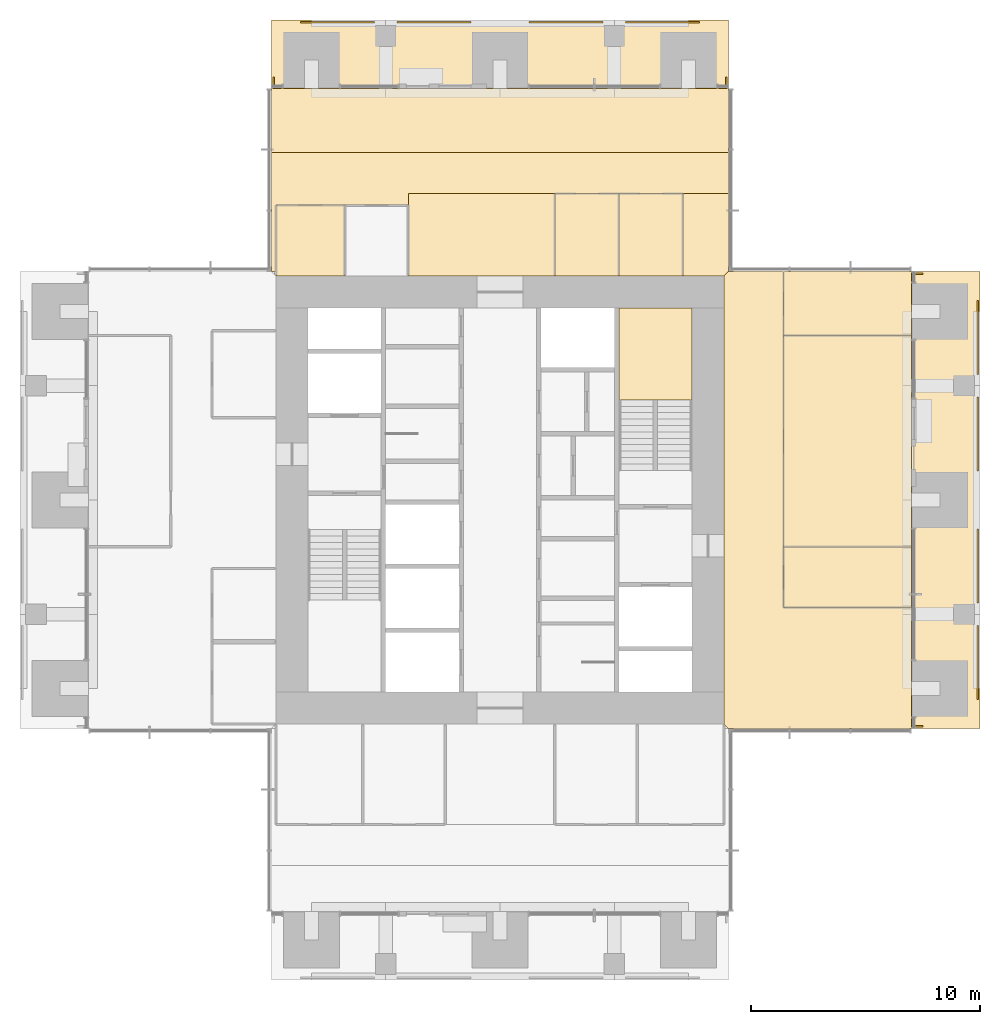
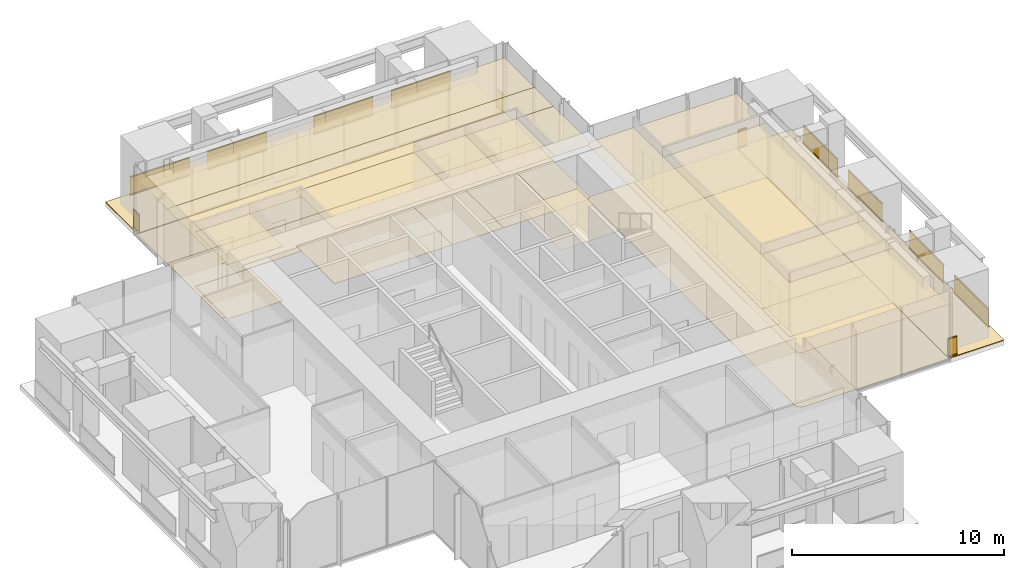
# One storey, part 16 of 17: 25 coverings, 12 railings.
"""IFC4 building model written with IfcOpenShell, lengths in metres."""

from ifc_helpers import new_model, si_unit, direction, frame, origin, origin_2d, place, context, subcontext, project, spatial, polyline, rectangle, outline, extrude, material, layer, layer_set, type_object, element, save


model = new_model("IFC4")

# Units and contexts
model_context = context("Model", 3, precision=1e-05, world=origin(), true_north=direction((0.0, 1.0)))
body_context = subcontext(model_context, "Body", "Model", "MODEL_VIEW")
ifc_project = project(units=[si_unit("LENGTHUNIT", "METRE"), si_unit("AREAUNIT", "SQUARE_METRE"), si_unit("VOLUMEUNIT", "CUBIC_METRE"), si_unit("PLANEANGLEUNIT", "RADIAN"), si_unit("MASSUNIT", "GRAM", prefix="KILO")], contexts=[model_context])

# Site, building, storey
site_placement = place(None, origin())
site = spatial("IfcSite", under=ifc_project, at=site_placement, CompositionType="ELEMENT")
building_placement = place(site_placement, origin())
building = spatial("IfcBuilding", under=site, at=building_placement, Name="Svetlomir Tower", CompositionType="ELEMENT")
storey_placement = place(building_placement, frame((0.0, 0.0, 206.5)))
storey = spatial("IfcBuildingStorey", under=building, at=storey_placement, Name="L49", CompositionType="ELEMENT", Elevation=206.5)

# Railings
ifc_material_1 = material(Name="Bronze anodised aluminium and laminated glass", Category="aluminium")
railing_type = type_object("IfcRailingType", Name="BALCONY GUARD GR1 1100", PredefinedType="GUARDRAIL", material=ifc_material_1)
for number, where, name in (
    (1, (41.89990234375, 12.27490234375, 0.0), "Loggia guard E L49 bay 1"),
    (2, (41.89990234375, 16.5, 0.0), "Loggia guard E L49 bay 2"),
    (3, (41.89990234375, 22.27490234375, 0.0), "Loggia guard E L49 bay 3"),
    (4, (41.89990234375, 26.5, 0.0), "Loggia guard E L49 bay 4"),
):
    element("IfcRailing", number, at=place(storey_placement, frame(where)), inside=storey, type_object=railing_type, Name=name, PredefinedType="GUARDRAIL", context=body_context, shape_type="SweptSolid", body=[
        extrude(rectangle(XDim=0.06005859375, YDim=0.10009765625, at=origin_2d()), frame((0.0, 0.0, 0.050048828125), z_axis=(0.0, 1.0, 0.0), x_axis=(-1.0, 0.0, 0.0)), (0.0, 0.0, 1.0), 3.22509765625),
        extrude(rectangle(XDim=0.021484375, YDim=0.960205078125, at=origin_2d()), frame((0.0, 0.0, 0.580078125), z_axis=(0.0, 1.0, 0.0), x_axis=(-1.0, 0.0, 0.0)), (0.0, 0.0, 1.0), 3.22509765625),
        extrude(rectangle(XDim=0.06005859375, YDim=0.0400390625, at=origin_2d()), frame((0.0, 0.0, 1.080078125), z_axis=(0.0, 1.0, 0.0), x_axis=(-1.0, 0.0, 0.0)), (0.0, 0.0, 1.0), 3.22509765625),
    ])
for number, where, name in (
    (5, (39.5, 11.10009765625, 0.0), "Loggia guard E L49 end 1"),
    (6, (39.5, 30.89990234375, 0.0), "Loggia guard E L49 end 2"),
):
    element("IfcRailing", number, at=place(storey_placement, frame(where)), inside=storey, type_object=railing_type, Name=name, PredefinedType="GUARDRAIL", context=body_context, shape_type="SweptSolid", body=[
        extrude(rectangle(XDim=0.06005859375, YDim=0.10009765625, at=origin_2d()), frame((0.0, 0.0, 0.050048828125), z_axis=(-1.0, 0.0, 0.0), x_axis=(0.0, -1.0, 0.0)), (0.0, 0.0, 1.0), 0.5),
        extrude(rectangle(XDim=0.021484375, YDim=0.960205078125, at=origin_2d()), frame((0.0, 0.0, 0.580078125), z_axis=(-1.0, 0.0, 0.0), x_axis=(0.0, -1.0, 0.0)), (0.0, 0.0, 1.0), 0.5),
        extrude(rectangle(XDim=0.06005859375, YDim=0.0400390625, at=origin_2d()), frame((0.0, 0.0, 1.080078125), z_axis=(-1.0, 0.0, 0.0), x_axis=(0.0, -1.0, 0.0)), (0.0, 0.0, 1.0), 0.5),
    ])
for number, where, name in (
    (7, (12.27490234375, 41.89990234375, 0.0), "Loggia guard N L49 bay 1"),
    (8, (16.5, 41.89990234375, 0.0), "Loggia guard N L49 bay 2"),
    (9, (22.27490234375, 41.89990234375, 0.0), "Loggia guard N L49 bay 3"),
    (10, (26.5, 41.89990234375, 0.0), "Loggia guard N L49 bay 4"),
):
    element("IfcRailing", number, at=place(storey_placement, frame(where)), inside=storey, type_object=railing_type, Name=name, PredefinedType="GUARDRAIL", context=body_context, shape_type="SweptSolid", body=[
        extrude(rectangle(XDim=0.06005859375, YDim=0.10009765625, at=origin_2d()), frame((0.0, 0.0, 0.050048828125), z_axis=(1.0, 0.0, 0.0), x_axis=(0.0, 1.0, 0.0)), (0.0, 0.0, 1.0), 3.22509765625),
        extrude(rectangle(XDim=0.021484375, YDim=0.960205078125, at=origin_2d()), frame((0.0, 0.0, 0.580078125), z_axis=(1.0, 0.0, 0.0), x_axis=(0.0, 1.0, 0.0)), (0.0, 0.0, 1.0), 3.22509765625),
        extrude(rectangle(XDim=0.06005859375, YDim=0.0400390625, at=origin_2d()), frame((0.0, 0.0, 1.080078125), z_axis=(1.0, 0.0, 0.0), x_axis=(0.0, 1.0, 0.0)), (0.0, 0.0, 1.0), 3.22509765625),
    ])
for number, where, name in (
    (11, (11.10009765625, 39.5, 0.0), "Loggia guard N L49 end 1"),
    (12, (30.89990234375, 39.5, 0.0), "Loggia guard N L49 end 2"),
):
    element("IfcRailing", number, at=place(storey_placement, frame(where)), inside=storey, type_object=railing_type, Name=name, PredefinedType="GUARDRAIL", context=body_context, shape_type="SweptSolid", body=[
        extrude(rectangle(XDim=0.06005859375, YDim=0.10009765625, at=origin_2d()), frame((0.0, 0.0, 0.050048828125), z_axis=(0.0, -1.0, 0.0), x_axis=(1.0, 0.0, 0.0)), (0.0, 0.0, 1.0), 0.5),
        extrude(rectangle(XDim=0.021484375, YDim=0.960205078125, at=origin_2d()), frame((0.0, 0.0, 0.580078125), z_axis=(0.0, -1.0, 0.0), x_axis=(1.0, 0.0, 0.0)), (0.0, 0.0, 1.0), 0.5),
        extrude(rectangle(XDim=0.06005859375, YDim=0.0400390625, at=origin_2d()), frame((0.0, 0.0, 1.080078125), z_axis=(0.0, -1.0, 0.0), x_axis=(1.0, 0.0, 0.0)), (0.0, 0.0, 1.0), 0.5),
    ])

# Coverings
ifc_material_2 = material(Name="Granite paving slabs on pedestals", Category="masonry")
ifc_layer_1 = layer(ifc_material_2, 0.0400390625)
ifc_layer_set_1 = layer_set([ifc_layer_1], Name="Granite paving slabs on pedestals")
covering_type_1 = type_object("IfcCoveringType", Name="BALCONY PAVING 40", PredefinedType="USERDEFINED", material=ifc_layer_set_1)
covering_1_placement = place(storey_placement, origin())
element("IfcCovering", 13, at=covering_1_placement, inside=storey, type_object=covering_type_1, Name="Loggia paving E L49", ObjectType="BALCONY PAVING", PredefinedType="USERDEFINED", context=body_context, shape_type="SweptSolid", body=[
    extrude(outline(polyline([(39.0, 11.0), (42.0, 11.0), (42.0, 31.0), (39.0, 31.0), (39.0, 11.0)])), origin(), (0.0, 0.0, 1.0), 0.0400390625),
])
covering_2_placement = place(storey_placement, origin())
element("IfcCovering", 14, at=covering_2_placement, inside=storey, type_object=covering_type_1, Name="Loggia paving N L49", ObjectType="BALCONY PAVING", PredefinedType="USERDEFINED", context=body_context, shape_type="SweptSolid", body=[
    extrude(outline(polyline([(11.0, 39.0), (31.0, 39.0), (31.0, 42.0), (11.0, 42.0), (11.0, 39.0)])), origin(), (0.0, 0.0, 1.0), 0.0400390625),
])
ifc_material_3 = material(Name="Carpet tile", Category="textile")
ifc_layer_2 = layer(ifc_material_3, 0.010009765625)
ifc_layer_set_2 = layer_set([ifc_layer_2], Name="Carpet tile")
covering_type_2 = type_object("IfcCoveringType", Name="CARPET TILE FLOOR 10", PredefinedType="FLOORING", material=ifc_layer_set_2)
covering_3_placement = place(storey_placement, origin())
element("IfcCovering", 15, at=covering_3_placement, inside=storey, type_object=covering_type_2, Name="Floor finish L49-22", PredefinedType="FLOORING", context=body_context, shape_type="SweptSolid", body=[
    extrude(outline(polyline([(33.39990234375, 16.300048828125), (39.0, 16.300048828125), (39.0, 18.949951171875), (33.39990234375, 18.949951171875), (33.39990234375, 16.300048828125)])), origin(), (0.0, 0.0, 1.0), 0.010009765625),
])
covering_4_placement = place(storey_placement, origin())
element("IfcCovering", 16, at=covering_4_placement, inside=storey, type_object=covering_type_2, Name="Floor finish L49-23", PredefinedType="FLOORING", context=body_context, shape_type="SweptSolid", body=[
    extrude(outline(polyline([(33.39990234375, 18.949951171875), (39.0, 18.949951171875), (39.0, 28.199951171875), (33.39990234375, 28.199951171875), (33.39990234375, 18.949951171875)])), origin(), (0.0, 0.0, 1.0), 0.010009765625),
])
covering_5_placement = place(storey_placement, origin())
element("IfcCovering", 17, at=covering_5_placement, inside=storey, type_object=covering_type_2, Name="Floor finish L49-24", PredefinedType="FLOORING", context=body_context, shape_type="SweptSolid", body=[
    extrude(outline(polyline([(33.39990234375, 28.199951171875), (39.0, 28.199951171875), (39.0, 31.0), (33.39990234375, 31.0), (33.39990234375, 28.199951171875)])), origin(), (0.0, 0.0, 1.0), 0.010009765625),
])
covering_6_placement = place(storey_placement, origin())
element("IfcCovering", 18, at=covering_6_placement, inside=storey, type_object=covering_type_2, Name="Floor finish L49-25", PredefinedType="FLOORING", context=body_context, shape_type="SweptSolid", body=[
    extrude(outline(polyline([(11.199951171875, 30.800048828125), (14.199951171875, 30.800048828125), (14.199951171875, 33.89990234375), (11.199951171875, 33.89990234375), (11.199951171875, 30.800048828125)])), origin(), (0.0, 0.0, 1.0), 0.010009765625),
])
covering_7_placement = place(storey_placement, origin())
element("IfcCovering", 19, at=covering_7_placement, inside=storey, type_object=covering_type_2, Name="Floor finish L49-27", PredefinedType="FLOORING", context=body_context, shape_type="SweptSolid", body=[
    extrude(outline(polyline([(23.39990234375, 30.800048828125), (26.199951171875, 30.800048828125), (26.199951171875, 34.39990234375), (23.39990234375, 34.39990234375), (23.39990234375, 30.800048828125)])), origin(), (0.0, 0.0, 1.0), 0.010009765625),
])
covering_8_placement = place(storey_placement, origin())
element("IfcCovering", 20, at=covering_8_placement, inside=storey, type_object=covering_type_2, Name="Floor finish L49-28", PredefinedType="FLOORING", context=body_context, shape_type="SweptSolid", body=[
    extrude(outline(polyline([(26.199951171875, 30.800048828125), (29.0, 30.800048828125), (29.0, 34.39990234375), (26.199951171875, 34.39990234375), (26.199951171875, 30.800048828125)])), origin(), (0.0, 0.0, 1.0), 0.010009765625),
])
covering_9_placement = place(storey_placement, origin())
element("IfcCovering", 21, at=covering_9_placement, inside=storey, type_object=covering_type_2, Name="Floor finish L49-34", PredefinedType="FLOORING", context=body_context, shape_type="SweptSolid", body=[
    extrude(outline(polyline([(11.199951171875, 31.0), (11.0, 31.0), (11.0, 36.199951171875), (31.0, 36.199951171875), (31.0, 34.39990234375), (17.0, 34.39990234375), (17.0, 33.89990234375), (11.199951171875, 33.89990234375), (11.199951171875, 31.0)])), origin(), (0.0, 0.0, 1.0), 0.010009765625),
])
covering_10_placement = place(storey_placement, origin())
element("IfcCovering", 22, at=covering_10_placement, inside=storey, type_object=covering_type_2, Name="Floor finish L49-37", PredefinedType="FLOORING", context=body_context, shape_type="SweptSolid", body=[
    extrude(outline(polyline([(30.800048828125, 30.800048828125), (31.0, 31.0), (33.39990234375, 31.0), (33.39990234375, 16.300048828125), (39.0, 16.300048828125), (39.0, 11.0), (31.0, 11.0), (30.800048828125, 11.199951171875), (30.800048828125, 30.800048828125)])), origin(), (0.0, 0.0, 1.0), 0.010009765625),
])
covering_11_placement = place(storey_placement, origin())
element("IfcCovering", 23, at=covering_11_placement, inside=storey, type_object=covering_type_2, Name="Floor finish L49-38", PredefinedType="FLOORING", context=body_context, shape_type="SweptSolid", body=[
    extrude(outline(polyline([(17.0, 30.800048828125), (17.0, 34.39990234375), (23.39990234375, 34.39990234375), (23.39990234375, 30.800048828125), (17.0, 30.800048828125)])), origin(), (0.0, 0.0, 1.0), 0.010009765625),
])
covering_12_placement = place(storey_placement, origin())
element("IfcCovering", 24, at=covering_12_placement, inside=storey, type_object=covering_type_2, Name="Floor finish L49-39", PredefinedType="FLOORING", context=body_context, shape_type="SweptSolid", body=[
    extrude(outline(polyline([(29.0, 30.800048828125), (29.0, 34.39990234375), (31.0, 34.39990234375), (31.0, 31.0), (30.800048828125, 30.800048828125), (29.0, 30.800048828125)])), origin(), (0.0, 0.0, 1.0), 0.010009765625),
])
covering_13_placement = place(storey_placement, origin())
element("IfcCovering", 25, at=covering_13_placement, inside=storey, type_object=covering_type_2, Name="Floor finish L49-40", PredefinedType="FLOORING", context=body_context, shape_type="SweptSolid", body=[
    extrude(outline(polyline([(31.0, 39.0), (31.0, 36.199951171875), (11.0, 36.199951171875), (11.0, 39.0), (31.0, 39.0)])), origin(), (0.0, 0.0, 1.0), 0.010009765625),
])
ifc_material_4 = material(Name="Studded rubber floor finish", Category="rubber")
ifc_layer_3 = layer(ifc_material_4, 0.006103515625)
ifc_layer_set_3 = layer_set([ifc_layer_3], Name="Studded rubber floor finish")
covering_type_3 = type_object("IfcCoveringType", Name="RUBBER LANDING FINISH 6", PredefinedType="FLOORING", material=ifc_layer_set_3)
covering_14_placement = place(storey_placement, frame((0.0, 0.0, 2.0)))
element("IfcCovering", 26, at=covering_14_placement, inside=storey, type_object=covering_type_3, Name="Stair S2 landing finish L49", PredefinedType="FLOORING", context=body_context, shape_type="SweptSolid", body=[
    extrude(outline(polyline([(26.199951171875, 25.3798828125), (29.39990234375, 25.3798828125), (29.39990234375, 29.39990234375), (26.199951171875, 29.39990234375), (26.199951171875, 25.3798828125)])), origin(), (0.0, 0.0, 1.0), 0.006103515625),
])
ifc_material_5 = material(Name="Mineral fibre ceiling tile", Category="mineral")
ifc_layer_4 = layer(ifc_material_5, 0.02001953125)
ifc_layer_set_4 = layer_set([ifc_layer_4], Name="Mineral fibre ceiling tile")
covering_type_4 = type_object("IfcCoveringType", Name="SUSPENDED CEILING 20", PredefinedType="CEILING", material=ifc_layer_set_4)
covering_15_placement = place(storey_placement, frame((0.0, 0.0, 3.1298828125)))
element("IfcCovering", 27, at=covering_15_placement, inside=storey, type_object=covering_type_4, Name="Ceiling L49-22", PredefinedType="CEILING", context=body_context, shape_type="SweptSolid", body=[
    extrude(outline(polyline([(33.39990234375, 16.300048828125), (39.0, 16.300048828125), (39.0, 18.949951171875), (33.39990234375, 18.949951171875), (33.39990234375, 16.300048828125)])), origin(), (0.0, 0.0, 1.0), 0.02001953125),
])
covering_16_placement = place(storey_placement, frame((0.0, 0.0, 3.1298828125)))
element("IfcCovering", 28, at=covering_16_placement, inside=storey, type_object=covering_type_4, Name="Ceiling L49-23", PredefinedType="CEILING", context=body_context, shape_type="SweptSolid", body=[
    extrude(outline(polyline([(33.39990234375, 18.949951171875), (39.0, 18.949951171875), (39.0, 28.199951171875), (33.39990234375, 28.199951171875), (33.39990234375, 18.949951171875)])), origin(), (0.0, 0.0, 1.0), 0.02001953125),
])
covering_17_placement = place(storey_placement, frame((0.0, 0.0, 3.1298828125)))
element("IfcCovering", 29, at=covering_17_placement, inside=storey, type_object=covering_type_4, Name="Ceiling L49-24", PredefinedType="CEILING", context=body_context, shape_type="SweptSolid", body=[
    extrude(outline(polyline([(33.39990234375, 28.199951171875), (39.0, 28.199951171875), (39.0, 31.0), (33.39990234375, 31.0), (33.39990234375, 28.199951171875)])), origin(), (0.0, 0.0, 1.0), 0.02001953125),
])
covering_18_placement = place(storey_placement, frame((0.0, 0.0, 3.1298828125)))
element("IfcCovering", 30, at=covering_18_placement, inside=storey, type_object=covering_type_4, Name="Ceiling L49-25", PredefinedType="CEILING", context=body_context, shape_type="SweptSolid", body=[
    extrude(outline(polyline([(11.199951171875, 30.800048828125), (14.199951171875, 30.800048828125), (14.199951171875, 33.89990234375), (11.199951171875, 33.89990234375), (11.199951171875, 30.800048828125)])), origin(), (0.0, 0.0, 1.0), 0.02001953125),
])
covering_19_placement = place(storey_placement, frame((0.0, 0.0, 3.1298828125)))
element("IfcCovering", 31, at=covering_19_placement, inside=storey, type_object=covering_type_4, Name="Ceiling L49-27", PredefinedType="CEILING", context=body_context, shape_type="SweptSolid", body=[
    extrude(outline(polyline([(23.39990234375, 30.800048828125), (26.199951171875, 30.800048828125), (26.199951171875, 34.39990234375), (23.39990234375, 34.39990234375), (23.39990234375, 30.800048828125)])), origin(), (0.0, 0.0, 1.0), 0.02001953125),
])
covering_20_placement = place(storey_placement, frame((0.0, 0.0, 3.1298828125)))
element("IfcCovering", 32, at=covering_20_placement, inside=storey, type_object=covering_type_4, Name="Ceiling L49-28", PredefinedType="CEILING", context=body_context, shape_type="SweptSolid", body=[
    extrude(outline(polyline([(26.199951171875, 30.800048828125), (29.0, 30.800048828125), (29.0, 34.39990234375), (26.199951171875, 34.39990234375), (26.199951171875, 30.800048828125)])), origin(), (0.0, 0.0, 1.0), 0.02001953125),
])
covering_21_placement = place(storey_placement, frame((0.0, 0.0, 3.1298828125)))
element("IfcCovering", 33, at=covering_21_placement, inside=storey, type_object=covering_type_4, Name="Ceiling L49-34", PredefinedType="CEILING", context=body_context, shape_type="SweptSolid", body=[
    extrude(outline(polyline([(11.199951171875, 31.0), (11.0, 31.0), (11.0, 36.199951171875), (31.0, 36.199951171875), (31.0, 34.39990234375), (17.0, 34.39990234375), (17.0, 33.89990234375), (11.199951171875, 33.89990234375), (11.199951171875, 31.0)])), origin(), (0.0, 0.0, 1.0), 0.02001953125),
])
covering_22_placement = place(storey_placement, frame((0.0, 0.0, 3.1298828125)))
element("IfcCovering", 34, at=covering_22_placement, inside=storey, type_object=covering_type_4, Name="Ceiling L49-37", PredefinedType="CEILING", context=body_context, shape_type="SweptSolid", body=[
    extrude(outline(polyline([(30.800048828125, 30.800048828125), (31.0, 31.0), (33.39990234375, 31.0), (33.39990234375, 16.300048828125), (39.0, 16.300048828125), (39.0, 11.0), (31.0, 11.0), (30.800048828125, 11.199951171875), (30.800048828125, 30.800048828125)])), origin(), (0.0, 0.0, 1.0), 0.02001953125),
])
covering_23_placement = place(storey_placement, frame((0.0, 0.0, 3.1298828125)))
element("IfcCovering", 35, at=covering_23_placement, inside=storey, type_object=covering_type_4, Name="Ceiling L49-38", PredefinedType="CEILING", context=body_context, shape_type="SweptSolid", body=[
    extrude(outline(polyline([(17.0, 30.800048828125), (17.0, 34.39990234375), (23.39990234375, 34.39990234375), (23.39990234375, 30.800048828125), (17.0, 30.800048828125)])), origin(), (0.0, 0.0, 1.0), 0.02001953125),
])
covering_24_placement = place(storey_placement, frame((0.0, 0.0, 3.1298828125)))
element("IfcCovering", 36, at=covering_24_placement, inside=storey, type_object=covering_type_4, Name="Ceiling L49-39", PredefinedType="CEILING", context=body_context, shape_type="SweptSolid", body=[
    extrude(outline(polyline([(29.0, 30.800048828125), (29.0, 34.39990234375), (31.0, 34.39990234375), (31.0, 31.0), (30.800048828125, 30.800048828125), (29.0, 30.800048828125)])), origin(), (0.0, 0.0, 1.0), 0.02001953125),
])
covering_25_placement = place(storey_placement, frame((0.0, 0.0, 3.1298828125)))
element("IfcCovering", 37, at=covering_25_placement, inside=storey, type_object=covering_type_4, Name="Ceiling L49-40", PredefinedType="CEILING", context=body_context, shape_type="SweptSolid", body=[
    extrude(outline(polyline([(31.0, 39.0), (31.0, 36.199951171875), (11.0, 36.199951171875), (11.0, 39.0), (31.0, 39.0)])), origin(), (0.0, 0.0, 1.0), 0.02001953125),
])

save(model, "model.ifc")
